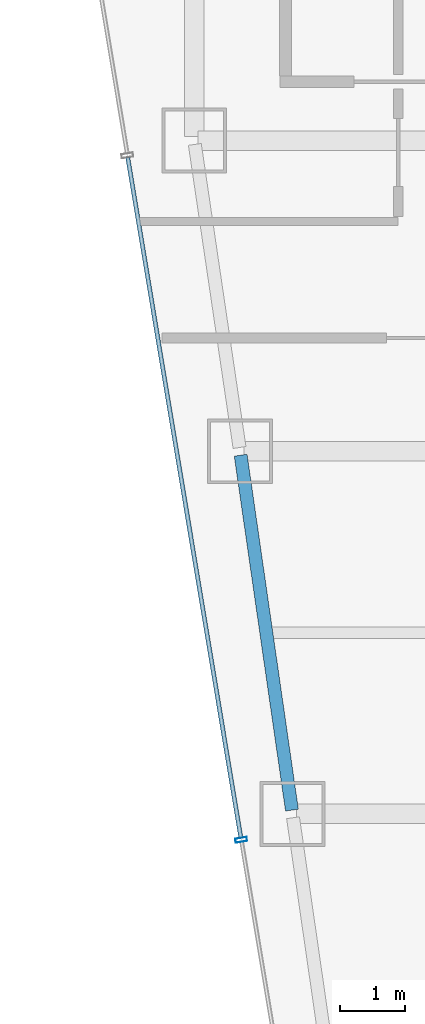
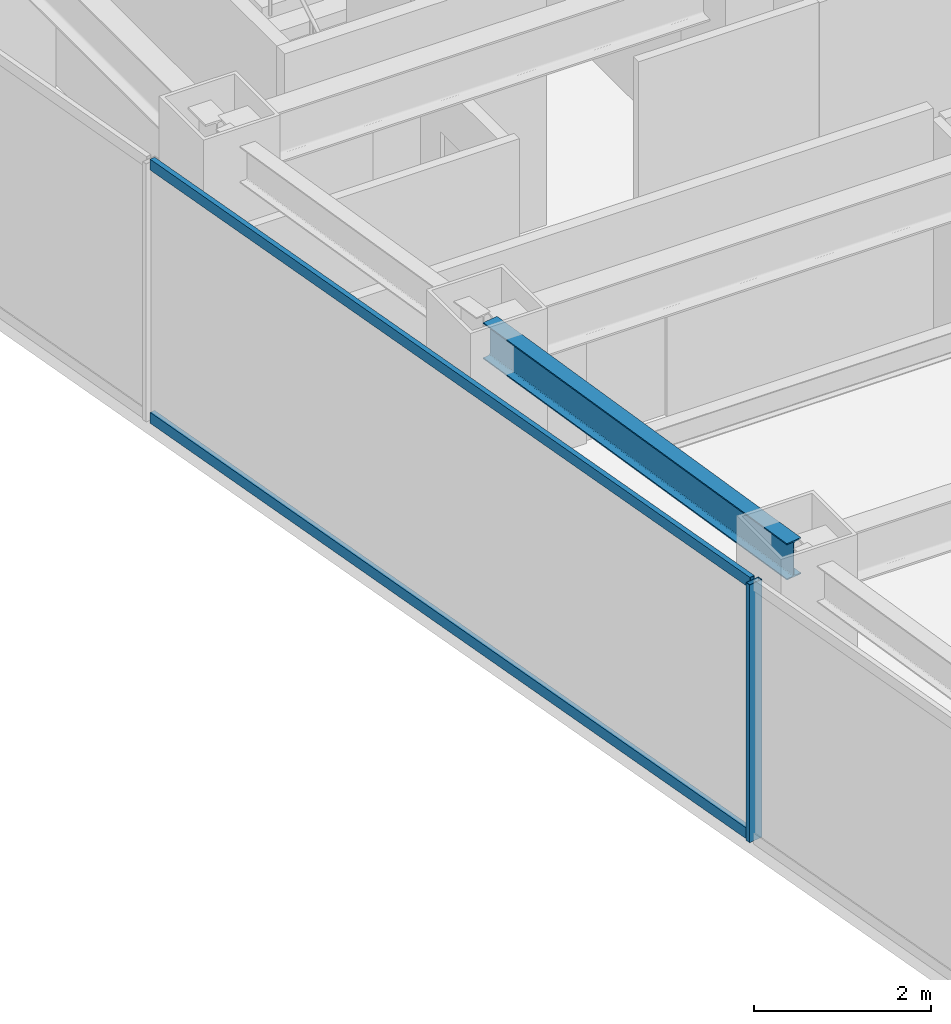
# One storey, part 9 of 36: 3 members, 1 beam, 1 element without a shape of its own.
"""IFC4 building model written with IfcOpenShell, lengths in metres."""

from ifc_helpers import new_model, si_unit, direction, frame, origin, origin_2d, place, context, subcontext, project, spatial, hollow_rectangle, i_section, extrude, material, material_profile, profile_set, type_object, element, aggregate, save


model = new_model("IFC4")

# Units and contexts
model_context = context("Model", 3, precision=1e-05, world=origin(), true_north=direction((0.0, 1.0)))
body_context = subcontext(model_context, "Body", "Model", "MODEL_VIEW")
ifc_project = project(units=[si_unit("LENGTHUNIT", "METRE"), si_unit("AREAUNIT", "SQUARE_METRE"), si_unit("VOLUMEUNIT", "CUBIC_METRE"), si_unit("PLANEANGLEUNIT", "RADIAN"), si_unit("MASSUNIT", "GRAM", prefix="KILO")], contexts=[model_context])

# Site, building, storey
site_placement = place(None, origin())
site = spatial("IfcSite", under=ifc_project, at=site_placement, CompositionType="ELEMENT")
building_placement = place(site_placement, origin())
building = spatial("IfcBuilding", under=site, at=building_placement, Name="Saevonmaru Cultural Tower", CompositionType="ELEMENT")
storey_placement = place(building_placement, frame((0.0, 0.0, 156.199951171875)))
storey = spatial("IfcBuildingStorey", under=building, at=storey_placement, Name="L34", CompositionType="ELEMENT", Elevation=156.199951171875)

# Beam
ifc_material_1 = material(Name="Steel SM355", Category="steel")
ifc_material_profile_1 = material_profile(ifc_material_1, i_section(OverallWidth=0.199951171875, OverallDepth=0.5, WebThickness=0.010009765625, FlangeThickness=0.01611328125, FilletRadius=0.02001953125, at=origin_2d()), Name="H-500x200x10x16")
ifc_profile_set_1 = profile_set([ifc_material_profile_1], Name="Steel SM355")
beam_type = type_object("IfcBeamType", Name="BM-SP-H500", PredefinedType="SPANDREL", material=ifc_profile_set_1)
beam_placement = place(storey_placement, frame((8.308349609375, 32.059326171875, 3.300048828125), z_axis=(-0.142964121327, 0.989727871697, 0.0), x_axis=(-0.989727871697, -0.142964121327, 0.0)))
element("IfcBeam", 1, at=beam_placement, inside=storey, type_object=beam_type, Name="L34 West Splayed Spandrel 4", PredefinedType="SPANDREL", context=body_context, shape_type="SweptSolid", body=[
    extrude(i_section(OverallWidth=0.199951171875, OverallDepth=0.5, WebThickness=0.010009765625, FlangeThickness=0.01611328125, FilletRadius=0.02001953125, at=origin_2d()), origin(), (0.0, 0.0, 1.0), 5.5380859375),
])

# Curtain wall, members
ifc_material_2 = material(Name="Satin Bronze Anodised Aluminium", Category="aluminium")
curtain_wall_type = type_object("IfcCurtainWallType", Name="CW-TYP-A", PredefinedType="NOTDEFINED", material=ifc_material_2)
curtain_wall_placement = place(storey_placement, origin())
curtain_wall = element("IfcCurtainWall", 2, at=curtain_wall_placement, inside=storey, type_object=curtain_wall_type, Name="L34 Unitised Curtain Wall E12", PredefinedType="NOTDEFINED")
ifc_material_profile_2 = material_profile(ifc_material_2, hollow_rectangle(XDim=0.06494140625, YDim=0.179931640625, WallThickness=0.00390625, at=origin_2d()), Name="ALU-MULL-180x65x4")
ifc_profile_set_2 = profile_set([ifc_material_profile_2], Name="Satin Bronze Anodised Aluminium")
member_type_1 = type_object("IfcMemberType", Name="ML-CW-180x65", PredefinedType="MULLION", material=ifc_profile_set_2)
member_1_placement = place(storey_placement, frame((7.5244140625, 31.60009765625, 0.0), z_axis=(0.0, 0.0, 1.0), x_axis=(0.163998702345, -0.986460554523, 0.0)))
member_1 = element("IfcMember", 3, at=member_1_placement, type_object=member_type_1, Name="CW-TW-L34-E12 mullion 3", PredefinedType="MULLION", context=body_context, shape_type="SweptSolid", body=[
    extrude(hollow_rectangle(XDim=0.06494140625, YDim=0.179931640625, WallThickness=0.00390625, at=origin_2d()), origin(), (0.0, 0.0, 1.0), 3.550048828125),
])
ifc_material_profile_3 = material_profile(ifc_material_2, hollow_rectangle(XDim=0.06494140625, YDim=0.14990234375, WallThickness=0.00390625, at=origin_2d()), Name="ALU-TRAN-150x65x4")
ifc_profile_set_3 = profile_set([ifc_material_profile_3], Name="Satin Bronze Anodised Aluminium")
member_type_2 = type_object("IfcMemberType", Name="TR-CW-150x65", PredefinedType="USERDEFINED", material=ifc_profile_set_3)
member_2_placement = place(storey_placement, frame((5.7724609375, 42.138427734375, 0.032470703125), z_axis=(0.163990079074, -0.9864619881, 0.0), x_axis=(0.9864619881, 0.163990079074, 0.0)))
member_2 = element("IfcMember", 4, at=member_2_placement, type_object=member_type_2, Name="CW-TW-L34-E12 transom 2.1", ObjectType="TRANSOM", PredefinedType="USERDEFINED", context=body_context, shape_type="SweptSolid", body=[
    extrude(hollow_rectangle(XDim=0.06494140625, YDim=0.14990234375, WallThickness=0.00390625, at=origin_2d()), origin(), (0.0, 0.0, 1.0), 10.650634765625),
])
member_3_placement = place(storey_placement, frame((5.7724609375, 42.138427734375, 3.517578125), z_axis=(0.163990079074, -0.9864619881, 0.0), x_axis=(0.9864619881, 0.163990079074, 0.0)))
member_3 = element("IfcMember", 5, at=member_3_placement, type_object=member_type_2, Name="CW-TW-L34-E12 transom 2.2", ObjectType="TRANSOM", PredefinedType="USERDEFINED", context=body_context, shape_type="SweptSolid", body=[
    extrude(hollow_rectangle(XDim=0.06494140625, YDim=0.14990234375, WallThickness=0.00390625, at=origin_2d()), origin(), (0.0, 0.0, 1.0), 10.650634765625),
])
aggregate(curtain_wall, [member_1, member_2, member_3])

save(model, "model.ifc")
